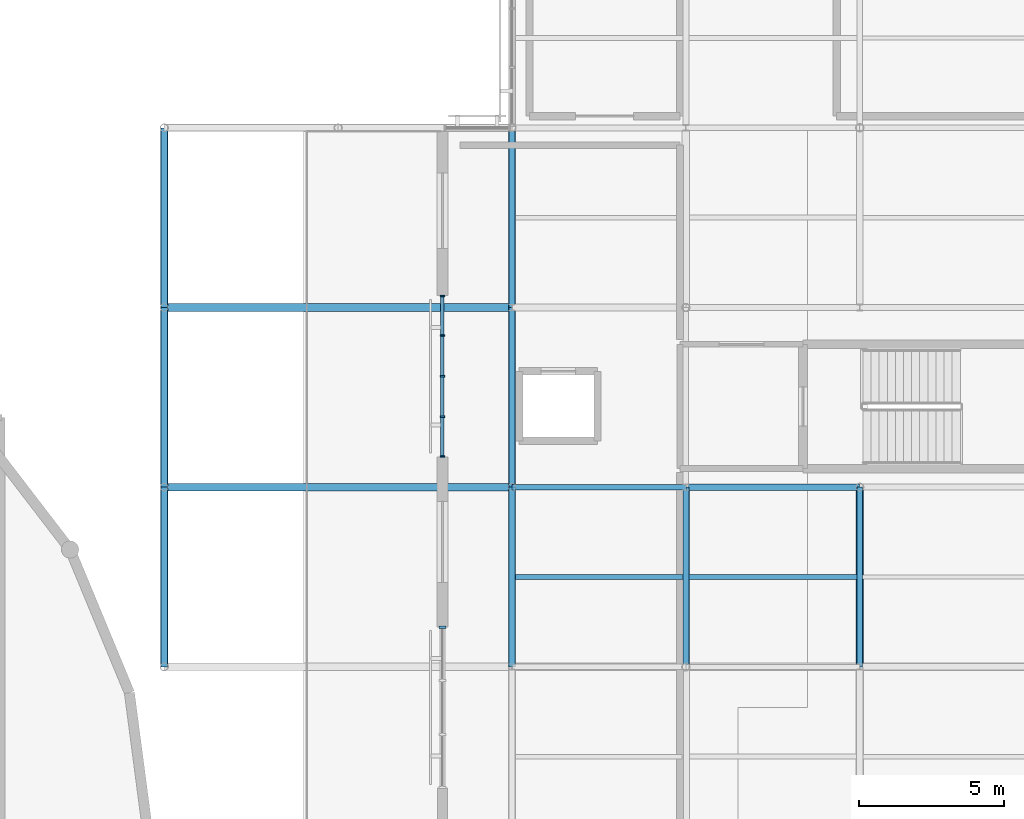
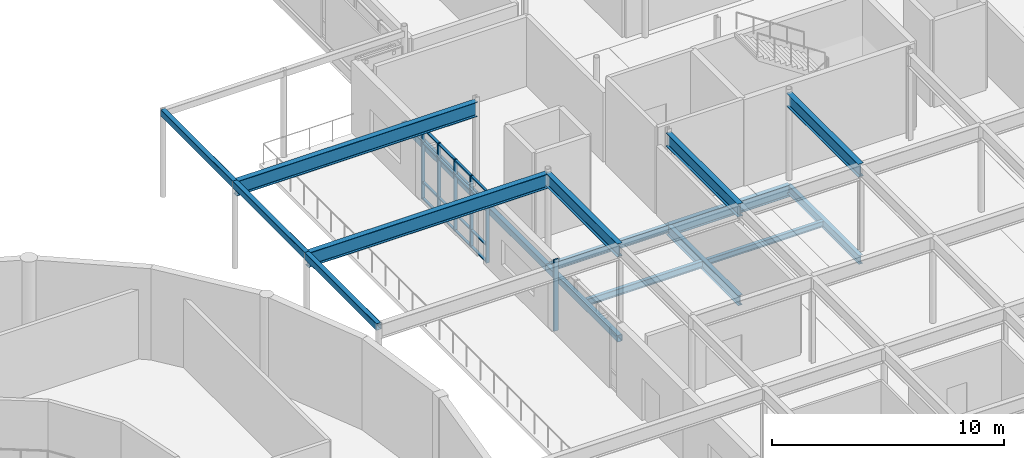
# One storey, part 27 of 48: 22 members, 17 beams, 2 elements without a shape of their own.
"""IFC4 building model written with IfcOpenShell, lengths in metres."""

from ifc_helpers import new_model, si_unit, direction, frame, origin, origin_2d, place, context, subcontext, project, spatial, rectangle, hollow_rectangle, i_section, extrude, material, layer, layer_set, material_profile, profile_set, type_object, element, aggregate, save


model = new_model("IFC4")

# Units and contexts
model_context = context("Model", 3, precision=1e-05, world=origin(), true_north=direction((0.0, 1.0)))
body_context = subcontext(model_context, "Body", "Model", "MODEL_VIEW")
ifc_project = project(units=[si_unit("LENGTHUNIT", "METRE"), si_unit("AREAUNIT", "SQUARE_METRE"), si_unit("VOLUMEUNIT", "CUBIC_METRE"), si_unit("PLANEANGLEUNIT", "RADIAN"), si_unit("MASSUNIT", "GRAM", prefix="KILO")], contexts=[model_context])

# Site, building, storey
site_placement = place(None, origin())
site = spatial("IfcSite", under=ifc_project, at=site_placement, CompositionType="ELEMENT")
building_placement = place(site_placement, origin())
building = spatial("IfcBuilding", under=site, at=building_placement, Name="Mirzam Square Science Centre", CompositionType="ELEMENT")
storey_placement = place(building_placement, frame((0.0, 0.0, 20.39990234375)))
storey = spatial("IfcBuildingStorey", under=building, at=storey_placement, Name="L04", CompositionType="ELEMENT", Elevation=20.39990234375)

# Beams
ifc_material_1 = material(Name="Steel S355", Category="steel")
ifc_material_profile_1 = material_profile(ifc_material_1, i_section(OverallWidth=0.1787109375, OverallDepth=0.409423828125, WebThickness=0.0087890625, FlangeThickness=0.014404296875, FilletRadius=0.01025390625, at=origin_2d()), Name="406x178x67UB")
ifc_profile_set_1 = profile_set([ifc_material_profile_1], Name="Steel S355")
beam_type_1 = type_object("IfcBeamType", Name="BM-UB406", PredefinedType="BEAM", material=ifc_profile_set_1)
beam_1_placement = place(storey_placement, frame((114.0, 74.39990234375, -0.45458984375), z_axis=(1.0, 0.0, 0.0), x_axis=(0.0, 1.0, 0.0)))
element("IfcBeam", 1, at=beam_1_placement, inside=storey, type_object=beam_type_1, Name="L04 girder X20-13", PredefinedType="BEAM", context=body_context, shape_type="SweptSolid", body=[
    extrude(i_section(OverallWidth=0.1787109375, OverallDepth=0.409423828125, WebThickness=0.0087890625, FlangeThickness=0.014404296875, FilletRadius=0.01025390625, at=origin_2d()), origin(), (0.0, 0.0, 1.0), 6.0),
])
ifc_material_profile_2 = material_profile(ifc_material_1, i_section(OverallWidth=0.19140625, OverallDepth=0.4599609375, WebThickness=0.010009765625, FlangeThickness=0.01611328125, FilletRadius=0.01025390625, at=origin_2d()), Name="457x191x82UB")
ifc_profile_set_2 = profile_set([ifc_material_profile_2], Name="Steel S355")
beam_type_2 = type_object("IfcBeamType", Name="BM-UB457", PredefinedType="BEAM", material=ifc_profile_set_2)
beam_2_placement = place(storey_placement, frame((126.0, 68.199951171875, -0.47998046875), z_axis=(0.0, 1.0, 0.0), x_axis=(-1.0, 0.0, 0.0)))
element("IfcBeam", 2, at=beam_2_placement, inside=storey, type_object=beam_type_2, Name="L04 girder Y22-12", PredefinedType="BEAM", context=body_context, shape_type="SweptSolid", body=[
    extrude(i_section(OverallWidth=0.19140625, OverallDepth=0.4599609375, WebThickness=0.010009765625, FlangeThickness=0.01611328125, FilletRadius=0.01025390625, at=origin_2d()), origin(), (0.0, 0.0, 1.0), 6.199951171875),
])
ifc_material_profile_3 = material_profile(ifc_material_1, i_section(OverallWidth=0.2099609375, OverallDepth=0.53662109375, WebThickness=0.0107421875, FlangeThickness=0.017333984375, FilletRadius=0.0126953125, at=origin_2d()), Name="533x210x101UB")
ifc_profile_set_3 = profile_set([ifc_material_profile_3], Name="Steel S355")
beam_type_3 = type_object("IfcBeamType", Name="BM-UB533", PredefinedType="BEAM", material=ifc_profile_set_3)
beam_3_placement = place(storey_placement, frame((120.0, 68.199951171875, -0.518310546875), z_axis=(0.0, 1.0, 0.0), x_axis=(-1.0, 0.0, 0.0)))
element("IfcBeam", 3, at=beam_3_placement, inside=storey, type_object=beam_type_3, Name="L04 girder Y21-12", PredefinedType="BEAM", context=body_context, shape_type="SweptSolid", body=[
    extrude(i_section(OverallWidth=0.2099609375, OverallDepth=0.53662109375, WebThickness=0.0107421875, FlangeThickness=0.017333984375, FilletRadius=0.0126953125, at=origin_2d()), origin(), (0.0, 0.0, 1.0), 6.199951171875),
])
ifc_material_profile_4 = material_profile(ifc_material_1, i_section(OverallWidth=0.22900390625, OverallDepth=0.6123046875, WebThickness=0.011962890625, FlangeThickness=0.01953125, FilletRadius=0.0126953125, at=origin_2d()), Name="610x229x125UB")
ifc_profile_set_4 = profile_set([ifc_material_profile_4], Name="Steel S355")
beam_type_4 = type_object("IfcBeamType", Name="BM-UB610", PredefinedType="BEAM", material=ifc_profile_set_4)
beam_4_placement = place(storey_placement, frame((120.0, 74.39990234375, -0.555908203125), z_axis=(1.0, 0.0, 0.0), x_axis=(0.0, 1.0, 0.0)))
element("IfcBeam", 4, at=beam_4_placement, inside=storey, type_object=beam_type_4, Name="L04 girder X21-13", PredefinedType="BEAM", context=body_context, shape_type="SweptSolid", body=[
    extrude(i_section(OverallWidth=0.22900390625, OverallDepth=0.6123046875, WebThickness=0.011962890625, FlangeThickness=0.01953125, FilletRadius=0.0126953125, at=origin_2d()), origin(), (0.0, 0.0, 1.0), 6.0),
])
ifc_material_profile_5 = material_profile(ifc_material_1, i_section(OverallWidth=0.25439453125, OverallDepth=0.6875, WebThickness=0.01318359375, FlangeThickness=0.02099609375, FilletRadius=0.01513671875, at=origin_2d()), Name="686x254x152UB")
ifc_profile_set_5 = profile_set([ifc_material_profile_5], Name="Steel S355")
beam_type_5 = type_object("IfcBeamType", Name="BM-UB686", PredefinedType="BEAM", material=ifc_profile_set_5)
for number, where, z_axis, x_axis, name in (
    (5, (114.0, 68.199951171875, 4.226318359375), (0.0, 1.0, 0.0), (-1.0, 0.0, 0.0), "Parasol roof girder X20 Y12-13"),
    (6, (120.0, 68.199951171875, 4.226318359375), (0.0, 1.0, 0.0), (-1.0, 0.0, 0.0), "Parasol roof girder X21 Y12-13"),
    (7, (126.0, 68.199951171875, 4.226318359375), (0.0, 1.0, 0.0), (-1.0, 0.0, 0.0), "Parasol roof girder X22 Y12-13"),
):
    element("IfcBeam", number, at=place(storey_placement, frame(where, z_axis=z_axis, x_axis=x_axis)), inside=storey, type_object=beam_type_5, Name=name, PredefinedType="BEAM", context=body_context, shape_type="SweptSolid", body=[
        extrude(i_section(OverallWidth=0.25439453125, OverallDepth=0.6875, WebThickness=0.01318359375, FlangeThickness=0.02099609375, FilletRadius=0.01513671875, at=origin_2d()), origin(), (0.0, 0.0, 1.0), 6.199951171875),
    ])
ifc_material_profile_6 = material_profile(ifc_material_1, i_section(OverallWidth=0.2666015625, OverallDepth=0.76220703125, WebThickness=0.014404296875, FlangeThickness=0.021484375, FilletRadius=0.0166015625, at=origin_2d()), Name="762x267x173UB")
ifc_profile_set_6 = profile_set([ifc_material_profile_6], Name="Steel S355")
beam_type_6 = type_object("IfcBeamType", Name="BM-UB762", PredefinedType="BEAM", material=ifc_profile_set_6)
for number, where, z_axis, x_axis, name in (
    (8, (102.0, 74.39990234375, 4.18896484375), (1.0, 0.0, 0.0), (0.0, 1.0, 0.0), "Parasol roof girder Y13 X18-20"),
    (9, (102.0, 80.60009765625, 4.18896484375), (1.0, 0.0, 0.0), (0.0, 1.0, 0.0), "Parasol roof girder Y14 X18-20"),
):
    element("IfcBeam", number, at=place(storey_placement, frame(where, z_axis=z_axis, x_axis=x_axis)), inside=storey, type_object=beam_type_6, Name=name, PredefinedType="BEAM", context=body_context, shape_type="SweptSolid", body=[
        extrude(i_section(OverallWidth=0.2666015625, OverallDepth=0.76220703125, WebThickness=0.014404296875, FlangeThickness=0.021484375, FilletRadius=0.0166015625, at=origin_2d()), origin(), (0.0, 0.0, 1.0), 12.0),
    ])

# Curtain wall, members
ifc_material_2 = material(Name="Anodised Aluminium and Low-E Solar Glass", Category="aluminium")
ifc_layer_1 = layer(ifc_material_2, 0.159912109375)
ifc_layer_set_1 = layer_set([ifc_layer_1], Name="CW-COURT-B")
curtain_wall_type_1 = type_object("IfcCurtainWallType", Name="CW-COURT-B", PredefinedType="USERDEFINED", material=ifc_layer_set_1)
curtain_wall_1_placement = place(storey_placement, origin())
curtain_wall_1 = element("IfcCurtainWall", 10, at=curtain_wall_1_placement, inside=storey, type_object=curtain_wall_type_1, Name="L04 unitised curtain wall 154", ObjectType="UNITISED CURTAIN WALL", PredefinedType="USERDEFINED")
ifc_material_3 = material(Name="Anodised Architectural Aluminium 6063-T6", Category="aluminium")
ifc_material_profile_7 = material_profile(ifc_material_3, rectangle(XDim=0.06005859375, YDim=0.159912109375, at=origin_2d()), Name="ALU-MULL-160x60x4")
ifc_profile_set_7 = profile_set([ifc_material_profile_7], Name="Anodised Architectural Aluminium 6063-T6")
member_type_1 = type_object("IfcMemberType", Name="CWM-160", PredefinedType="MULLION", material=ifc_profile_set_7)
member_1_placement = place(storey_placement, frame((111.60009765625, 81.000732421875, 0.0), z_axis=(0.0, 0.0, 1.0), x_axis=(0.0, -1.0, 0.0)))
member_1 = element("IfcMember", 11, at=member_1_placement, type_object=member_type_1, Name="CW-04 mullion 1", PredefinedType="MULLION", context=body_context, shape_type="SweptSolid", body=[
    extrude(rectangle(XDim=0.06005859375, YDim=0.159912109375, at=origin_2d()), origin(), (0.0, 0.0, 1.0), 3.760009765625),
])
member_2_placement = place(storey_placement, frame((111.60009765625, 79.629638671875, 0.0), z_axis=(0.0, 0.0, 1.0), x_axis=(0.0, -1.0, 0.0)))
member_2 = element("IfcMember", 12, at=member_2_placement, type_object=member_type_1, Name="CW-04 mullion 2", PredefinedType="MULLION", context=body_context, shape_type="SweptSolid", body=[
    extrude(rectangle(XDim=0.06005859375, YDim=0.159912109375, at=origin_2d()), origin(), (0.0, 0.0, 1.0), 3.760009765625),
])
member_3_placement = place(storey_placement, frame((111.60009765625, 78.228515625, 0.0), z_axis=(0.0, 0.0, 1.0), x_axis=(0.0, -1.0, 0.0)))
member_3 = element("IfcMember", 13, at=member_3_placement, type_object=member_type_1, Name="CW-04 mullion 3", PredefinedType="MULLION", context=body_context, shape_type="SweptSolid", body=[
    extrude(rectangle(XDim=0.06005859375, YDim=0.159912109375, at=origin_2d()), origin(), (0.0, 0.0, 1.0), 3.760009765625),
])
member_4_placement = place(storey_placement, frame((111.60009765625, 76.827392578125, 0.0), z_axis=(0.0, 0.0, 1.0), x_axis=(0.0, -1.0, 0.0)))
member_4 = element("IfcMember", 14, at=member_4_placement, type_object=member_type_1, Name="CW-04 mullion 4", PredefinedType="MULLION", context=body_context, shape_type="SweptSolid", body=[
    extrude(rectangle(XDim=0.06005859375, YDim=0.159912109375, at=origin_2d()), origin(), (0.0, 0.0, 1.0), 3.760009765625),
])
member_5_placement = place(storey_placement, frame((111.60009765625, 75.456298828125, 0.0), z_axis=(0.0, 0.0, 1.0), x_axis=(0.0, -1.0, 0.0)))
member_5 = element("IfcMember", 15, at=member_5_placement, type_object=member_type_1, Name="CW-04 mullion 5", PredefinedType="MULLION", context=body_context, shape_type="SweptSolid", body=[
    extrude(rectangle(XDim=0.06005859375, YDim=0.159912109375, at=origin_2d()), origin(), (0.0, 0.0, 1.0), 3.760009765625),
])

# Curtain wall, member
ifc_layer_2 = layer(ifc_material_2, 0.239990234375)
ifc_layer_set_2 = layer_set([ifc_layer_2], Name="CW-EAST-B")
curtain_wall_type_2 = type_object("IfcCurtainWallType", Name="CW-EAST-B", PredefinedType="USERDEFINED", material=ifc_layer_set_2)
curtain_wall_2_placement = place(storey_placement, origin())
curtain_wall_2 = element("IfcCurtainWall", 16, at=curtain_wall_2_placement, inside=storey, type_object=curtain_wall_type_2, Name="L04 unitised curtain wall 155", ObjectType="UNITISED CURTAIN WALL", PredefinedType="USERDEFINED")
ifc_material_profile_8 = material_profile(ifc_material_3, rectangle(XDim=0.074951171875, YDim=0.239990234375, at=origin_2d()), Name="ALU-MULL-240x75x5")
ifc_profile_set_8 = profile_set([ifc_material_profile_8], Name="Anodised Architectural Aluminium 6063-T6")
member_type_2 = type_object("IfcMemberType", Name="CWM-240", PredefinedType="MULLION", material=ifc_profile_set_8)
member_6_placement = place(storey_placement, frame((111.60009765625, 69.564697265625, 0.0), z_axis=(0.0, 0.0, 1.0), x_axis=(0.0, -1.0, 0.0)))
member_6 = element("IfcMember", 17, at=member_6_placement, type_object=member_type_2, Name="CW-06 mullion 1", PredefinedType="MULLION", context=body_context, shape_type="SweptSolid", body=[
    extrude(rectangle(XDim=0.074951171875, YDim=0.239990234375, at=origin_2d()), origin(), (0.0, 0.0, 1.0), 3.760009765625),
])
aggregate(curtain_wall_2, [member_6])

# Member
ifc_material_profile_9 = material_profile(ifc_material_3, rectangle(XDim=0.1201171875, YDim=0.06005859375, at=origin_2d()), Name="ALU-TRAN-120x60x4")
ifc_profile_set_9 = profile_set([ifc_material_profile_9], Name="Anodised Architectural Aluminium 6063-T6")
member_type_3 = type_object("IfcMemberType", Name="CWT-120", PredefinedType="USERDEFINED", material=ifc_profile_set_9)
member_7_placement = place(storey_placement, frame((111.60009765625, 80.970703125, 0.030029296875), z_axis=(0.0, -1.0, 0.0), x_axis=(1.0, 0.0, 0.0)))
member_7 = element("IfcMember", 18, at=member_7_placement, type_object=member_type_3, Name="CW-04 transom 1.1", ObjectType="TRANSOM", PredefinedType="USERDEFINED", context=body_context, shape_type="SweptSolid", body=[
    extrude(rectangle(XDim=0.1201171875, YDim=0.06005859375, at=origin_2d()), origin(), (0.0, 0.0, 1.0), 1.31103515625),
])

member_8_placement = place(storey_placement, frame((111.60009765625, 80.970703125, 0.900146484375), z_axis=(0.0, -1.0, 0.0), x_axis=(1.0, 0.0, 0.0)))
member_8 = element("IfcMember", 19, at=member_8_placement, type_object=member_type_3, Name="CW-04 transom 1.2", ObjectType="TRANSOM", PredefinedType="USERDEFINED", context=body_context, shape_type="SweptSolid", body=[
    extrude(rectangle(XDim=0.1201171875, YDim=0.06005859375, at=origin_2d()), origin(), (0.0, 0.0, 1.0), 1.31103515625),
])

member_9_placement = place(storey_placement, frame((111.60009765625, 80.970703125, 2.960205078125), z_axis=(0.0, -1.0, 0.0), x_axis=(1.0, 0.0, 0.0)))
member_9 = element("IfcMember", 20, at=member_9_placement, type_object=member_type_3, Name="CW-04 transom 1.3", ObjectType="TRANSOM", PredefinedType="USERDEFINED", context=body_context, shape_type="SweptSolid", body=[
    extrude(rectangle(XDim=0.1201171875, YDim=0.06005859375, at=origin_2d()), origin(), (0.0, 0.0, 1.0), 1.31103515625),
])

member_10_placement = place(storey_placement, frame((111.60009765625, 80.970703125, 3.72998046875), z_axis=(0.0, -1.0, 0.0), x_axis=(1.0, 0.0, 0.0)))
member_10 = element("IfcMember", 21, at=member_10_placement, type_object=member_type_3, Name="CW-04 transom 1.4", ObjectType="TRANSOM", PredefinedType="USERDEFINED", context=body_context, shape_type="SweptSolid", body=[
    extrude(rectangle(XDim=0.1201171875, YDim=0.06005859375, at=origin_2d()), origin(), (0.0, 0.0, 1.0), 1.31103515625),
])

member_11_placement = place(storey_placement, frame((111.60009765625, 79.599609375, 0.030029296875), z_axis=(0.0, -1.0, 0.0), x_axis=(1.0, 0.0, 0.0)))
member_11 = element("IfcMember", 22, at=member_11_placement, type_object=member_type_3, Name="CW-04 transom 2.1", ObjectType="TRANSOM", PredefinedType="USERDEFINED", context=body_context, shape_type="SweptSolid", body=[
    extrude(rectangle(XDim=0.1201171875, YDim=0.06005859375, at=origin_2d()), origin(), (0.0, 0.0, 1.0), 1.341064453125),
])

member_12_placement = place(storey_placement, frame((111.60009765625, 79.599609375, 0.900146484375), z_axis=(0.0, -1.0, 0.0), x_axis=(1.0, 0.0, 0.0)))
member_12 = element("IfcMember", 23, at=member_12_placement, type_object=member_type_3, Name="CW-04 transom 2.2", ObjectType="TRANSOM", PredefinedType="USERDEFINED", context=body_context, shape_type="SweptSolid", body=[
    extrude(rectangle(XDim=0.1201171875, YDim=0.06005859375, at=origin_2d()), origin(), (0.0, 0.0, 1.0), 1.341064453125),
])

member_13_placement = place(storey_placement, frame((111.60009765625, 79.599609375, 2.960205078125), z_axis=(0.0, -1.0, 0.0), x_axis=(1.0, 0.0, 0.0)))
member_13 = element("IfcMember", 24, at=member_13_placement, type_object=member_type_3, Name="CW-04 transom 2.3", ObjectType="TRANSOM", PredefinedType="USERDEFINED", context=body_context, shape_type="SweptSolid", body=[
    extrude(rectangle(XDim=0.1201171875, YDim=0.06005859375, at=origin_2d()), origin(), (0.0, 0.0, 1.0), 1.341064453125),
])

member_14_placement = place(storey_placement, frame((111.60009765625, 79.599609375, 3.72998046875), z_axis=(0.0, -1.0, 0.0), x_axis=(1.0, 0.0, 0.0)))
member_14 = element("IfcMember", 25, at=member_14_placement, type_object=member_type_3, Name="CW-04 transom 2.4", ObjectType="TRANSOM", PredefinedType="USERDEFINED", context=body_context, shape_type="SweptSolid", body=[
    extrude(rectangle(XDim=0.1201171875, YDim=0.06005859375, at=origin_2d()), origin(), (0.0, 0.0, 1.0), 1.341064453125),
])

member_15_placement = place(storey_placement, frame((111.60009765625, 78.198486328125, 0.030029296875), z_axis=(0.0, -1.0, 0.0), x_axis=(1.0, 0.0, 0.0)))
member_15 = element("IfcMember", 26, at=member_15_placement, type_object=member_type_3, Name="CW-04 transom 3.1", ObjectType="TRANSOM", PredefinedType="USERDEFINED", context=body_context, shape_type="SweptSolid", body=[
    extrude(rectangle(XDim=0.1201171875, YDim=0.06005859375, at=origin_2d()), origin(), (0.0, 0.0, 1.0), 1.341064453125),
])

member_16_placement = place(storey_placement, frame((111.60009765625, 78.198486328125, 0.900146484375), z_axis=(0.0, -1.0, 0.0), x_axis=(1.0, 0.0, 0.0)))
member_16 = element("IfcMember", 27, at=member_16_placement, type_object=member_type_3, Name="CW-04 transom 3.2", ObjectType="TRANSOM", PredefinedType="USERDEFINED", context=body_context, shape_type="SweptSolid", body=[
    extrude(rectangle(XDim=0.1201171875, YDim=0.06005859375, at=origin_2d()), origin(), (0.0, 0.0, 1.0), 1.341064453125),
])

member_17_placement = place(storey_placement, frame((111.60009765625, 78.198486328125, 2.960205078125), z_axis=(0.0, -1.0, 0.0), x_axis=(1.0, 0.0, 0.0)))
member_17 = element("IfcMember", 28, at=member_17_placement, type_object=member_type_3, Name="CW-04 transom 3.3", ObjectType="TRANSOM", PredefinedType="USERDEFINED", context=body_context, shape_type="SweptSolid", body=[
    extrude(rectangle(XDim=0.1201171875, YDim=0.06005859375, at=origin_2d()), origin(), (0.0, 0.0, 1.0), 1.341064453125),
])

member_18_placement = place(storey_placement, frame((111.60009765625, 78.198486328125, 3.72998046875), z_axis=(0.0, -1.0, 0.0), x_axis=(1.0, 0.0, 0.0)))
member_18 = element("IfcMember", 29, at=member_18_placement, type_object=member_type_3, Name="CW-04 transom 3.4", ObjectType="TRANSOM", PredefinedType="USERDEFINED", context=body_context, shape_type="SweptSolid", body=[
    extrude(rectangle(XDim=0.1201171875, YDim=0.06005859375, at=origin_2d()), origin(), (0.0, 0.0, 1.0), 1.341064453125),
])

member_19_placement = place(storey_placement, frame((111.60009765625, 76.79736328125, 0.030029296875), z_axis=(0.0, -1.0, 0.0), x_axis=(1.0, 0.0, 0.0)))
member_19 = element("IfcMember", 30, at=member_19_placement, type_object=member_type_3, Name="CW-04 transom 4.1", ObjectType="TRANSOM", PredefinedType="USERDEFINED", context=body_context, shape_type="SweptSolid", body=[
    extrude(rectangle(XDim=0.1201171875, YDim=0.06005859375, at=origin_2d()), origin(), (0.0, 0.0, 1.0), 1.31103515625),
])

member_20_placement = place(storey_placement, frame((111.60009765625, 76.79736328125, 0.900146484375), z_axis=(0.0, -1.0, 0.0), x_axis=(1.0, 0.0, 0.0)))
member_20 = element("IfcMember", 31, at=member_20_placement, type_object=member_type_3, Name="CW-04 transom 4.2", ObjectType="TRANSOM", PredefinedType="USERDEFINED", context=body_context, shape_type="SweptSolid", body=[
    extrude(rectangle(XDim=0.1201171875, YDim=0.06005859375, at=origin_2d()), origin(), (0.0, 0.0, 1.0), 1.31103515625),
])

member_21_placement = place(storey_placement, frame((111.60009765625, 76.79736328125, 2.960205078125), z_axis=(0.0, -1.0, 0.0), x_axis=(1.0, 0.0, 0.0)))
member_21 = element("IfcMember", 32, at=member_21_placement, type_object=member_type_3, Name="CW-04 transom 4.3", ObjectType="TRANSOM", PredefinedType="USERDEFINED", context=body_context, shape_type="SweptSolid", body=[
    extrude(rectangle(XDim=0.1201171875, YDim=0.06005859375, at=origin_2d()), origin(), (0.0, 0.0, 1.0), 1.31103515625),
])

member_22_placement = place(storey_placement, frame((111.60009765625, 76.79736328125, 3.72998046875), z_axis=(0.0, -1.0, 0.0), x_axis=(1.0, 0.0, 0.0)))
member_22 = element("IfcMember", 33, at=member_22_placement, type_object=member_type_3, Name="CW-04 transom 4.4", ObjectType="TRANSOM", PredefinedType="USERDEFINED", context=body_context, shape_type="SweptSolid", body=[
    extrude(rectangle(XDim=0.1201171875, YDim=0.06005859375, at=origin_2d()), origin(), (0.0, 0.0, 1.0), 1.31103515625),
])

aggregate(curtain_wall_1, [member_1, member_2, member_3, member_4, member_5, member_7, member_8, member_9, member_10, member_11, member_12, member_13, member_14, member_15, member_16, member_17, member_18, member_19, member_20, member_21, member_22])

# Beams
ifc_material_profile_10 = material_profile(ifc_material_1, i_section(OverallWidth=0.165771484375, OverallDepth=0.306640625, WebThickness=0.006591796875, FlangeThickness=0.01171875, FilletRadius=0.0087890625, at=origin_2d()), Name="305x165x46UB")
ifc_profile_set_10 = profile_set([ifc_material_profile_10], Name="Steel S355")
beam_type_7 = type_object("IfcBeamType", Name="JS-UB305", PredefinedType="JOIST", material=ifc_profile_set_10)
beam_5_placement = place(storey_placement, frame((120.10498046875, 71.300048828125, -0.4033203125), z_axis=(1.0, 0.0, 0.0), x_axis=(0.0, 1.0, 0.0)))
element("IfcBeam", 34, at=beam_5_placement, inside=storey, type_object=beam_type_7, Name="L04 composite joist 21-12", PredefinedType="JOIST", context=body_context, shape_type="SweptSolid", body=[
    extrude(i_section(OverallWidth=0.165771484375, OverallDepth=0.306640625, WebThickness=0.006591796875, FlangeThickness=0.01171875, FilletRadius=0.0087890625, at=origin_2d()), origin(), (0.0, 0.0, 1.0), 5.79931640625),
])
ifc_material_profile_11 = material_profile(ifc_material_1, i_section(OverallWidth=0.172119140625, OverallDepth=0.35791015625, WebThickness=0.008056640625, FlangeThickness=0.012939453125, FilletRadius=0.01025390625, at=origin_2d()), Name="356x171x57UB")
ifc_profile_set_11 = profile_set([ifc_material_profile_11], Name="Steel S355")
beam_type_8 = type_object("IfcBeamType", Name="JS-UB356", PredefinedType="JOIST", material=ifc_profile_set_11)
beam_6_placement = place(storey_placement, frame((114.125, 71.300048828125, -0.428955078125), z_axis=(1.0, 0.0, 0.0), x_axis=(0.0, 1.0, 0.0)))
element("IfcBeam", 35, at=beam_6_placement, inside=storey, type_object=beam_type_8, Name="L04 composite joist 20-12", PredefinedType="JOIST", context=body_context, shape_type="SweptSolid", body=[
    extrude(i_section(OverallWidth=0.172119140625, OverallDepth=0.35791015625, WebThickness=0.008056640625, FlangeThickness=0.012939453125, FilletRadius=0.01025390625, at=origin_2d()), origin(), (0.0, 0.0, 1.0), 5.77001953125),
])
ifc_material_profile_12 = material_profile(ifc_material_1, hollow_rectangle(XDim=0.25, YDim=0.35009765625, WallThickness=0.012451171875, InnerFilletRadius=0.012451171875, OuterFilletRadius=0.02490234375, at=origin_2d()), Name="350x250x12.5RHS")
ifc_profile_set_12 = profile_set([ifc_material_profile_12], Name="Steel S355")
beam_type_9 = type_object("IfcBeamType", Name="SP-RHS350", PredefinedType="SPANDREL", material=ifc_profile_set_12)
beam_7_placement = place(storey_placement, frame((114.0, 68.199951171875, -0.4248046875), z_axis=(0.0, 1.0, 0.0), x_axis=(-1.0, 0.0, 0.0)))
element("IfcBeam", 36, at=beam_7_placement, inside=storey, type_object=beam_type_9, Name="L04 girder Y20-12", PredefinedType="SPANDREL", context=body_context, shape_type="SweptSolid", body=[
    extrude(hollow_rectangle(XDim=0.25, YDim=0.35009765625, WallThickness=0.012451171875, InnerFilletRadius=0.012451171875, OuterFilletRadius=0.02490234375, at=origin_2d()), origin(), (0.0, 0.0, 1.0), 6.199951171875),
])
beam_8_placement = place(storey_placement, frame((114.0, 74.39990234375, -0.4248046875), z_axis=(0.0, 1.0, 0.0), x_axis=(-1.0, 0.0, 0.0)))
element("IfcBeam", 37, at=beam_8_placement, inside=storey, type_object=beam_type_9, Name="L04 girder Y20-13", PredefinedType="SPANDREL", context=body_context, shape_type="SweptSolid", body=[
    extrude(hollow_rectangle(XDim=0.25, YDim=0.35009765625, WallThickness=0.012451171875, InnerFilletRadius=0.012451171875, OuterFilletRadius=0.02490234375, at=origin_2d()), origin(), (0.0, 0.0, 1.0), 6.2001953125),
])
for number, where, z_axis, x_axis, name in (
    (38, (114.0, 80.60009765625, -0.4248046875), (0.0, 1.0, 0.0), (-1.0, 0.0, 0.0), "L04 girder Y20-14"),
    (39, (102.0, 68.199951171875, 4.39501953125), (0.0, 1.0, 0.0), (-1.0, 0.0, 0.0), "Parasol W fascia beam 12"),
):
    element("IfcBeam", number, at=place(storey_placement, frame(where, z_axis=z_axis, x_axis=x_axis)), inside=storey, type_object=beam_type_9, Name=name, PredefinedType="SPANDREL", context=body_context, shape_type="SweptSolid", body=[
        extrude(hollow_rectangle(XDim=0.25, YDim=0.35009765625, WallThickness=0.012451171875, InnerFilletRadius=0.012451171875, OuterFilletRadius=0.02490234375, at=origin_2d()), origin(), (0.0, 0.0, 1.0), 6.199951171875),
    ])
beam_9_placement = place(storey_placement, frame((102.0, 74.39990234375, 4.39501953125), z_axis=(0.0, 1.0, 0.0), x_axis=(-1.0, 0.0, 0.0)))
element("IfcBeam", 40, at=beam_9_placement, inside=storey, type_object=beam_type_9, Name="Parasol W fascia beam 13", PredefinedType="SPANDREL", context=body_context, shape_type="SweptSolid", body=[
    extrude(hollow_rectangle(XDim=0.25, YDim=0.35009765625, WallThickness=0.012451171875, InnerFilletRadius=0.012451171875, OuterFilletRadius=0.02490234375, at=origin_2d()), origin(), (0.0, 0.0, 1.0), 6.2001953125),
])
beam_10_placement = place(storey_placement, frame((102.0, 80.60009765625, 4.39501953125), z_axis=(0.0, 1.0, 0.0), x_axis=(-1.0, 0.0, 0.0)))
element("IfcBeam", 41, at=beam_10_placement, inside=storey, type_object=beam_type_9, Name="Parasol W fascia beam 14", PredefinedType="SPANDREL", context=body_context, shape_type="SweptSolid", body=[
    extrude(hollow_rectangle(XDim=0.25, YDim=0.35009765625, WallThickness=0.012451171875, InnerFilletRadius=0.012451171875, OuterFilletRadius=0.02490234375, at=origin_2d()), origin(), (0.0, 0.0, 1.0), 6.199951171875),
])

save(model, "model.ifc")
